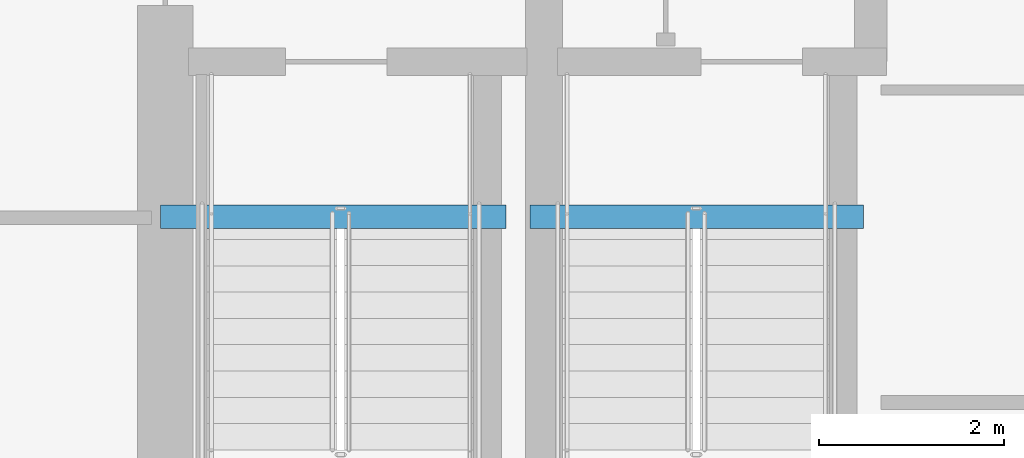
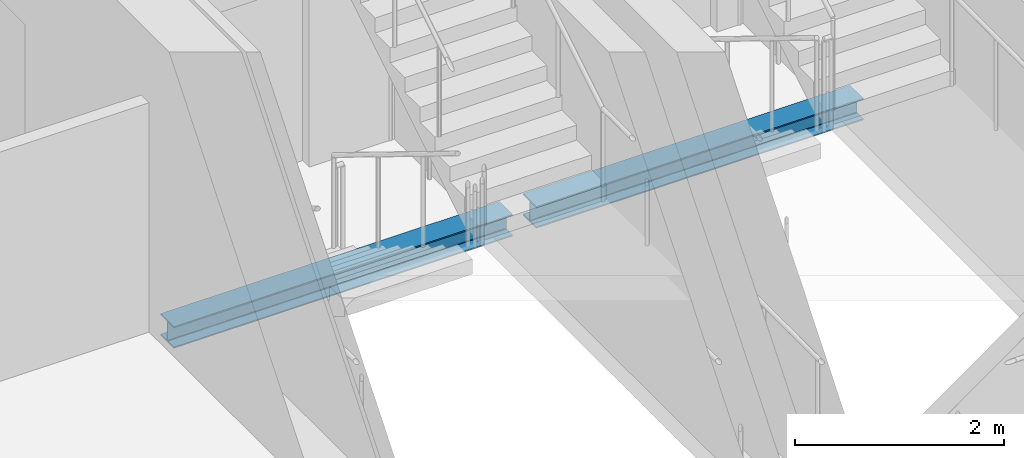
# One storey, part 7 of 22: 2 beams.
"""IFC4 building model written with IfcOpenShell, lengths in metres."""

from ifc_helpers import new_model, si_unit, direction, frame, origin, origin_2d, place, context, subcontext, project, spatial, i_section, extrude, material, material_profile, profile_set, type_object, element, save


model = new_model("IFC4")

# Units and contexts
model_context = context("Model", 3, precision=1e-05, world=origin(), true_north=direction((0.0, 1.0)))
body_context = subcontext(model_context, "Body", "Model", "MODEL_VIEW")
ifc_project = project(units=[si_unit("LENGTHUNIT", "METRE"), si_unit("AREAUNIT", "SQUARE_METRE"), si_unit("VOLUMEUNIT", "CUBIC_METRE"), si_unit("PLANEANGLEUNIT", "RADIAN"), si_unit("MASSUNIT", "GRAM", prefix="KILO")], contexts=[model_context])

# Site, building, storey
site_placement = place(None, origin())
site = spatial("IfcSite", under=ifc_project, at=site_placement, CompositionType="ELEMENT")
building_placement = place(site_placement, origin())
building = spatial("IfcBuilding", under=site, at=building_placement, Name="Bramvorn Convention Spire", CompositionType="ELEMENT")
storey_placement = place(building_placement, frame((0.0, 0.0, 134.300048828125)))
storey = spatial("IfcBuildingStorey", under=building, at=storey_placement, Name="L33", CompositionType="ELEMENT", Elevation=134.300048828125)

# Beams
ifc_material = material(Name="Steel CSA G40.21 Grade 350 (350W)", Category="steel")
ifc_material_profile = material_profile(ifc_material, i_section(OverallWidth=0.25390625, OverallDepth=0.2529296875, WebThickness=0.008544921875, FlangeThickness=0.01416015625, FilletRadius=0.011962890625, at=origin_2d()))
ifc_profile_set = profile_set([ifc_material_profile], Name="Steel CSA G40.21 Grade 350 (350W) - W250X73")
beam_type = type_object("IfcBeamType", Name="BM-W250X73", PredefinedType="BEAM", material=ifc_profile_set)
beam_1_placement = place(storey_placement, frame((26.949951171875, 25.010009765625, -0.12646484375), z_axis=(1.0, 0.0, 0.0), x_axis=(0.0, 1.0, 0.0)))
element("IfcBeam", 1, at=beam_1_placement, inside=storey, type_object=beam_type, Name="L33 ST1 stair arrival header beam", PredefinedType="BEAM", context=body_context, shape_type="SweptSolid", body=[
    extrude(i_section(OverallWidth=0.25390625, OverallDepth=0.2529296875, WebThickness=0.008544921875, FlangeThickness=0.01416015625, FilletRadius=0.011962890625, at=origin_2d()), origin(), (0.0, 0.0, 1.0), 3.739990234375),
])
beam_2_placement = place(storey_placement, frame((30.949951171875, 25.010009765625, -0.12646484375), z_axis=(1.0, 0.0, 0.0), x_axis=(0.0, 1.0, 0.0)))
element("IfcBeam", 2, at=beam_2_placement, inside=storey, type_object=beam_type, Name="L33 ST3 stair arrival header beam", PredefinedType="BEAM", context=body_context, shape_type="SweptSolid", body=[
    extrude(i_section(OverallWidth=0.25390625, OverallDepth=0.2529296875, WebThickness=0.008544921875, FlangeThickness=0.01416015625, FilletRadius=0.011962890625, at=origin_2d()), origin(), (0.0, 0.0, 1.0), 3.610107421875),
])

save(model, "model.ifc")
